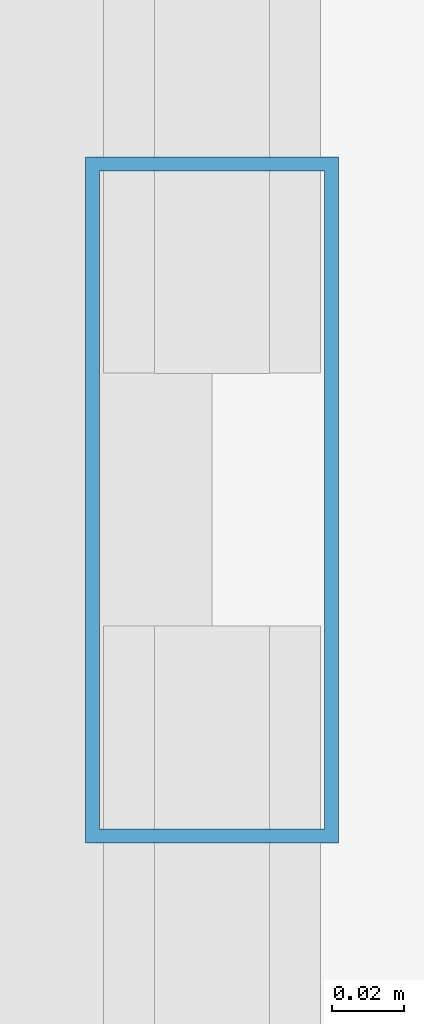
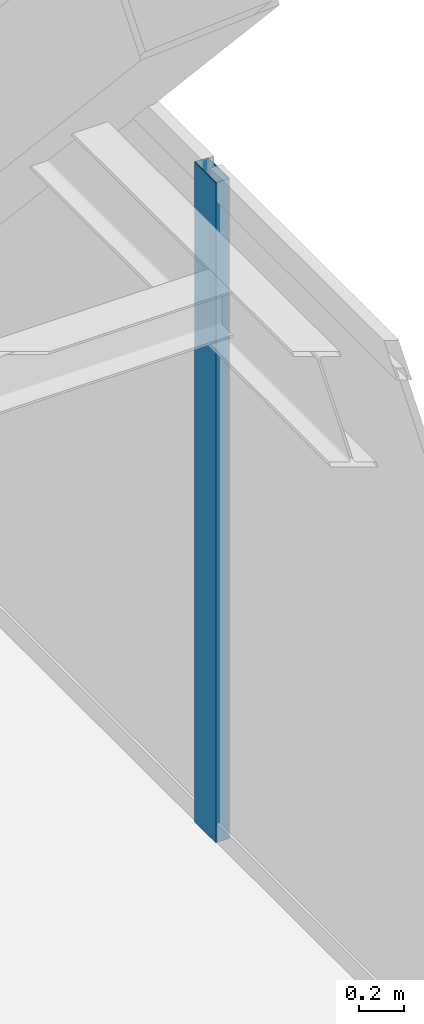
# One storey, part 22 of 38: 1 member, 1 element without a shape of its own.
"""IFC4 building model written with IfcOpenShell, lengths in metres."""

from ifc_helpers import new_model, si_unit, direction, frame, origin, origin_2d, place, context, subcontext, project, spatial, hollow_rectangle, extrude, source, transform, mapped, material, layer, layer_set, material_profile, profile_set, type_object, type_shapes, element, aggregate, save


model = new_model("IFC4")

# Units and contexts
model_context = context("Model", 3, precision=1e-05, world=origin(), true_north=direction((0.0, 1.0)))
body_context = subcontext(model_context, "Body", "Model", "MODEL_VIEW")
ifc_project = project(units=[si_unit("LENGTHUNIT", "METRE"), si_unit("AREAUNIT", "SQUARE_METRE"), si_unit("VOLUMEUNIT", "CUBIC_METRE"), si_unit("PLANEANGLEUNIT", "RADIAN"), si_unit("MASSUNIT", "GRAM", prefix="KILO")], contexts=[model_context])

# Site, building, storey
site_placement = place(None, origin())
site = spatial("IfcSite", under=ifc_project, at=site_placement, CompositionType="ELEMENT")
building_placement = place(site_placement, origin())
building = spatial("IfcBuilding", under=site, at=building_placement, Name="Varnel Quay Broadcast Tower", CompositionType="ELEMENT")
storey_placement = place(building_placement, frame((0.0, 0.0, 118.199951171875)))
storey = spatial("IfcBuildingStorey", under=building, at=storey_placement, Name="L28", CompositionType="ELEMENT", Elevation=118.199951171875)

# Curtain wall, member
ifc_material = material(Name="Anodised Bronze Aluminium 6063-T6", Category="aluminium")
ifc_layer = layer(ifc_material, 0.18994140625, Name="Anodised Bronze Aluminium 6063-T6")
ifc_layer_set = layer_set([ifc_layer], Name="Anodised Bronze Aluminium 6063-T6")
curtain_wall_type = type_object("IfcCurtainWallType", Name="CW_LowerTower", PredefinedType="NOTDEFINED", material=ifc_layer_set)
curtain_wall_placement = place(storey_placement, origin())
curtain_wall = element("IfcCurtainWall", 1, at=curtain_wall_placement, inside=storey, type_object=curtain_wall_type, Name="L28 East Unitised Curtain Wall", PredefinedType="NOTDEFINED")
ifc_material_profile = material_profile(ifc_material, hollow_rectangle(XDim=0.070068359375, YDim=0.18994140625, WallThickness=0.00390625, at=origin_2d()), Name="ALU70X190X4")
ifc_profile_set = profile_set([ifc_material_profile], Name="Anodised Bronze Aluminium 6063-T6")
member_type = type_object("IfcMemberType", Name="Mull_CWS-02", PredefinedType="MULLION", material=ifc_profile_set)
shared_shape = source(origin(), body_context, "Body", "SweptSolid", [
    extrude(hollow_rectangle(XDim=0.070068359375, YDim=0.18994140625, WallThickness=0.00390625, at=origin_2d()), origin(), (0.0, 0.0, 1.0), 3.550048828125),
])
type_shapes(member_type, [shared_shape])
member_placement = place(storey_placement, frame((63.35009765625, 31.39990234375, 0.0), z_axis=(0.0, 0.0, 1.0), x_axis=(-1.0, 0.0, 0.0)))
member = element("IfcMember", 2, at=member_placement, type_object=member_type, Name="CWS-02 mullion 3", PredefinedType="MULLION", context=body_context, shape_type="MappedRepresentation", body=[
    mapped(shared_shape, transform((0.0, 0.0, 0.0), x_axis=(1.0, 0.0, 0.0), y_axis=(0.0, 1.0, 0.0), z_axis=(0.0, 0.0, 1.0), scale=1.0)),
])
aggregate(curtain_wall, [member])

save(model, "model.ifc")
